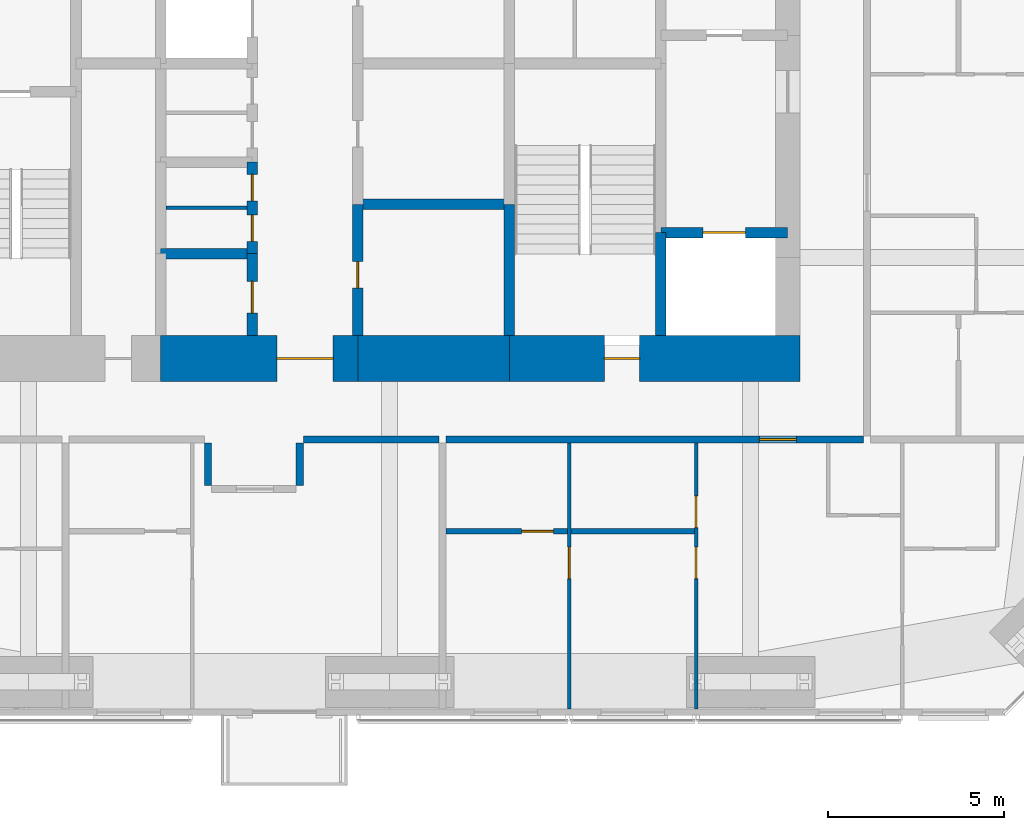
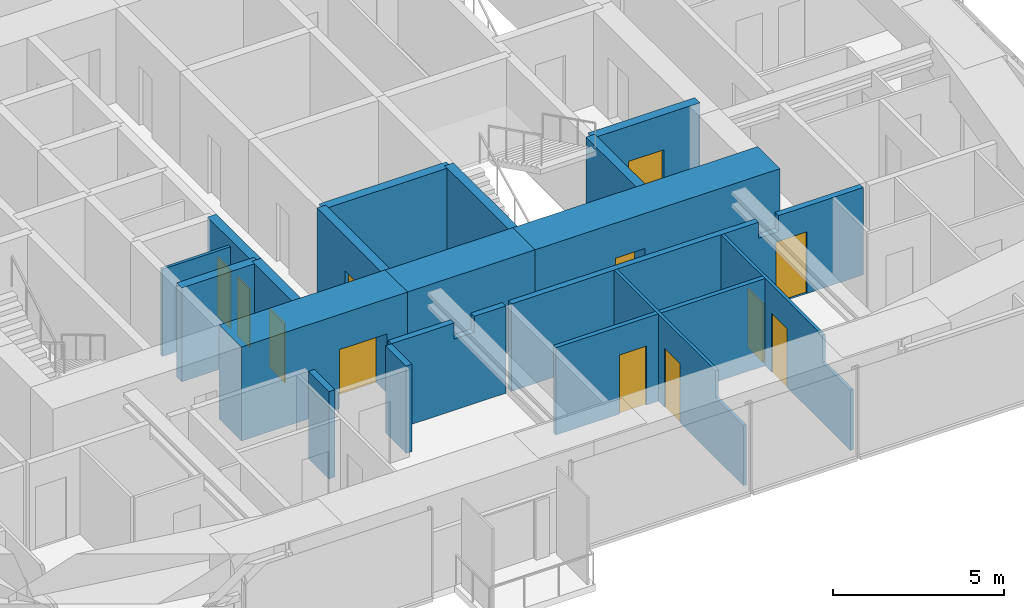
# One storey, part 17 of 23: 20 walls, 12 doors, 12 openings.
"""IFC4 building model written with IfcOpenShell, lengths in metres."""

from ifc_helpers import new_model, si_unit, direction, frame, frame_2d, origin, place, context, subcontext, project, spatial, polyline, rectangle, outline, extrude, material, layer, layer_set, constituent, constituent_set, type_object, element, fill, save


model = new_model("IFC4")

# Units and contexts
model_context = context("Model", 3, precision=1e-05, world=origin(), true_north=direction((0.0, 1.0)))
body_context = subcontext(model_context, "Body", "Model", "MODEL_VIEW")
ifc_project = project(units=[si_unit("LENGTHUNIT", "METRE"), si_unit("AREAUNIT", "SQUARE_METRE"), si_unit("VOLUMEUNIT", "CUBIC_METRE"), si_unit("PLANEANGLEUNIT", "RADIAN"), si_unit("MASSUNIT", "GRAM", prefix="KILO")], contexts=[model_context])

# Site, building, storey
site_placement = place(None, origin())
site = spatial("IfcSite", under=ifc_project, at=site_placement, CompositionType="ELEMENT")
building_placement = place(site_placement, origin())
building = spatial("IfcBuilding", under=site, at=building_placement, Name="Jalousie Tower", CompositionType="ELEMENT")
storey_placement = place(building_placement, frame((0.0, 0.0, 191.199951171875)))
storey = spatial("IfcBuildingStorey", under=building, at=storey_placement, Name="L52", CompositionType="ELEMENT", Elevation=191.199951171875)

# Wall, opening, door
ifc_material_1 = material(Name="Concrete block ASTM C90", Category="concrete")
ifc_constituent_1 = constituent(ifc_material_1, Name="Body")
ifc_material_2 = material(Name="Render")
ifc_constituent_2 = constituent(ifc_material_2, Name="Finish")
ifc_constituent_set_1 = constituent_set(constituents=[ifc_constituent_1, ifc_constituent_2])
wall_type_1 = type_object("IfcWallType", Name="BATHROOM WALL 150", PredefinedType="PLUMBINGWALL", material=ifc_constituent_set_1)
wall_1_placement = place(storey_placement, frame((34.10009765625, 5.22509765625, 0.0), z_axis=(0.0, 0.0, 1.0), x_axis=(1.0, 0.0, 0.0)))
wall_1 = element("IfcWall", 1, at=wall_1_placement, inside=storey, type_object=wall_type_1, Name="Bathroom Wall 150 L52", PredefinedType="PLUMBINGWALL", context=body_context, shape_type="SweptSolid", body=[
    extrude(rectangle(XDim=3.449951171875, YDim=0.14990234375, at=frame_2d((1.72509765625, 0.0))), origin(), (0.0, 0.0, 1.0), 3.110107421875),
])
opening_1_placement = place(wall_1_placement, frame((2.14990234375, 0.0, 0.0)))
opening_1 = element("IfcOpeningElement", 2, at=opening_1_placement, cuts=wall_1, Name="Opening D3", PredefinedType="OPENING", context=body_context, shape_type="SweptSolid", body=[
    extrude(rectangle(XDim=0.89990234375, YDim=2.10009765625, at=frame_2d((0.449951171875, 1.050048828125))), frame((0.0, 0.0849609375, 0.0), z_axis=(0.0, -1.0, 0.0), x_axis=(1.0, 0.0, 0.0)), (0.0, 0.0, 1.0), 0.169921875),
])
ifc_material_3 = material(Name="Timber door", Category="wood")
door_type_1 = type_object("IfcDoorType", Name="BATHROOM DOOR 900", OperationType="SINGLE_SWING_LEFT", PredefinedType="DOOR", material=ifc_material_3)
door_1_placement = place(opening_1_placement, origin())
door_1 = element("IfcDoor", 3, at=door_1_placement, inside=storey, type_object=door_type_1, Name="Apartment 5203 bedroom 1 bathroom door", OperationType="SINGLE_SWING_RIGHT", OverallHeight=2.10009765625, OverallWidth=0.89990234375, PredefinedType="DOOR", context=body_context, shape_type="SweptSolid", body=[
    extrude(rectangle(XDim=0.89990234375, YDim=2.10009765625, at=frame_2d((0.449951171875, 1.050048828125))), frame((0.0, 0.02490234375, 0.0), z_axis=(0.0, -1.0, 0.0), x_axis=(1.0, 0.0, 0.0)), (0.0, 0.0, 1.0), 0.050048828125),
])
fill(opening_1, door_1)

# Wall
wall_2_placement = place(storey_placement, frame((37.64990234375, 5.22509765625, 0.0), z_axis=(0.0, 0.0, 1.0), x_axis=(1.0, 0.0, 0.0)))
element("IfcWall", 4, at=wall_2_placement, inside=storey, type_object=wall_type_1, Name="Bathroom Wall 150 L52", PredefinedType="PLUMBINGWALL", context=body_context, shape_type="SweptSolid", body=[
    extrude(rectangle(XDim=3.5, YDim=0.14990234375, at=frame_2d((1.75, 0.0))), origin(), (0.0, 0.0, 1.0), 3.110107421875),
])

# Wall, opening, door
ifc_material_4 = material(Name="Concrete f'c 120 MPa", Category="concrete")
ifc_layer_1 = layer(ifc_material_4, 1.300048828125)
ifc_layer_set_1 = layer_set([ifc_layer_1], Name="Concrete f'c 120 MPa")
wall_type_2 = type_object("IfcWallType", Name="CORE WALL 1300", PredefinedType="SHEAR", material=ifc_layer_set_1)
wall_3_placement = place(storey_placement, frame((26.0, 10.125, 0.0), z_axis=(0.0, 0.0, 1.0), x_axis=(1.0, 0.0, 0.0)))
wall_3 = element("IfcWall", 5, at=wall_3_placement, inside=storey, type_object=wall_type_2, Name="Core wall SB L52", PredefinedType="SHEAR", context=body_context, shape_type="SweptSolid", body=[
    extrude(rectangle(XDim=5.60009765625, YDim=1.300048828125, at=frame_2d((2.800048828125, 0.0))), origin(), (0.0, 0.0, 1.0), 3.35009765625),
])
opening_2_placement = place(wall_3_placement, frame((3.300048828125, 0.0, 0.0)))
opening_2 = element("IfcOpeningElement", 6, at=opening_2_placement, cuts=wall_3, Name="Opening D15", PredefinedType="OPENING", context=body_context, shape_type="SweptSolid", body=[
    extrude(rectangle(XDim=1.60009765625, YDim=2.10009765625, at=frame_2d((0.800048828125, 1.050048828125))), frame((0.0, 0.659912109375, 0.0), z_axis=(0.0, -1.0, 0.0), x_axis=(1.0, 0.0, 0.0)), (0.0, 0.0, 1.0), 1.320068359375),
])
ifc_material_5 = material(Name="Steel fire door", Category="steel")
door_type_2 = type_object("IfcDoorType", Name="LIFT LOBBY DOOR 1600", OperationType="DOUBLE_DOOR_SINGLE_SWING", PredefinedType="DOOR", material=ifc_material_5)
door_2_placement = place(opening_2_placement, origin())
door_2 = element("IfcDoor", 7, at=door_2_placement, inside=storey, type_object=door_type_2, Name="Lift lobby south door", OperationType="DOUBLE_DOOR_SINGLE_SWING", OverallHeight=2.10009765625, OverallWidth=1.60009765625, PredefinedType="DOOR", context=body_context, shape_type="SweptSolid", body=[
    extrude(rectangle(XDim=1.60009765625, YDim=2.10009765625, at=frame_2d((0.800048828125, 1.050048828125))), frame((0.0, 0.02490234375, 0.0), z_axis=(0.0, -1.0, 0.0), x_axis=(1.0, 0.0, 0.0)), (0.0, 0.0, 1.0), 0.050048828125),
])
fill(opening_2, door_2)

# Wall
wall_4_placement = place(storey_placement, frame((31.60009765625, 10.125, 0.0), z_axis=(0.0, 0.0, 1.0), x_axis=(1.0, 0.0, 0.0)))
element("IfcWall", 8, at=wall_4_placement, inside=storey, type_object=wall_type_2, Name="Core wall SC L52", PredefinedType="SHEAR", context=body_context, shape_type="SweptSolid", body=[
    extrude(rectangle(XDim=4.2998046875, YDim=1.300048828125, at=frame_2d((2.14990234375, 0.0))), origin(), (0.0, 0.0, 1.0), 3.35009765625),
])

# Wall, opening, door
wall_5_placement = place(storey_placement, frame((35.89990234375, 10.125, 0.0), z_axis=(0.0, 0.0, 1.0), x_axis=(1.0, 0.0, 0.0)))
wall_5 = element("IfcWall", 9, at=wall_5_placement, inside=storey, type_object=wall_type_2, Name="Core wall SD L52", PredefinedType="SHEAR", context=body_context, shape_type="SweptSolid", body=[
    extrude(rectangle(XDim=8.25, YDim=1.300048828125, at=frame_2d((4.125, 0.0))), origin(), (0.0, 0.0, 1.0), 3.35009765625),
])
opening_3_placement = place(wall_5_placement, frame((2.699951171875, 0.0, 0.0)))
opening_3 = element("IfcOpeningElement", 10, at=opening_3_placement, cuts=wall_5, Name="Opening D10", PredefinedType="OPENING", context=body_context, shape_type="SweptSolid", body=[
    extrude(rectangle(XDim=1.0, YDim=2.10009765625, at=frame_2d((0.5, 1.050048828125))), frame((0.0, 0.659912109375, 0.0), z_axis=(0.0, -1.0, 0.0), x_axis=(1.0, 0.0, 0.0)), (0.0, 0.0, 1.0), 1.320068359375),
])
ifc_material_6 = material(Name="Steel fire door", Category="steel")
door_type_3 = type_object("IfcDoorType", Name="STAIR DOOR 1000", OperationType="SINGLE_SWING_LEFT", PredefinedType="DOOR", material=ifc_material_6)
door_3_placement = place(opening_3_placement, origin())
door_3 = element("IfcDoor", 11, at=door_3_placement, inside=storey, type_object=door_type_3, Name="Exit stair C door", OperationType="SINGLE_SWING_RIGHT", OverallHeight=2.10009765625, OverallWidth=1.0, PredefinedType="DOOR", context=body_context, shape_type="SweptSolid", body=[
    extrude(rectangle(XDim=1.0, YDim=2.10009765625, at=frame_2d((0.5, 1.050048828125))), frame((0.0, 0.02490234375, 0.0), z_axis=(0.0, -1.0, 0.0), x_axis=(1.0, 0.0, 0.0)), (0.0, 0.0, 1.0), 0.050048828125),
])
fill(opening_3, door_3)

ifc_material_7 = material(Name="Concrete f'c 120 MPa", Category="concrete")
ifc_layer_2 = layer(ifc_material_7, 0.300048828125)
ifc_layer_set_2 = layer_set([ifc_layer_2], Name="Concrete f'c 120 MPa")
wall_type_3 = type_object("IfcWallType", Name="CORE WALL 300", PredefinedType="SHEAR", material=ifc_layer_set_2)
wall_6_placement = place(storey_placement, frame((28.60009765625, 10.77490234375, 0.0), z_axis=(0.0, 0.0, 1.0), x_axis=(0.0, 1.0, 0.0)))
wall_6 = element("IfcWall", 12, at=wall_6_placement, inside=storey, type_object=wall_type_3, Name="Core wall X28.6A L52", PredefinedType="SHEAR", context=body_context, shape_type="SweptSolid", body=[
    extrude(rectangle(XDim=2.3251953125, YDim=0.300048828125, at=frame_2d((1.16259765625, 0.0))), origin(), (0.0, 0.0, 1.0), 3.35009765625),
])
opening_4_placement = place(wall_6_placement, frame((0.637451171875, 0.0, 0.0)))
opening_4 = element("IfcOpeningElement", 13, at=opening_4_placement, cuts=wall_6, Name="Opening D24", PredefinedType="OPENING", context=body_context, shape_type="SweptSolid", body=[
    extrude(rectangle(XDim=0.89990234375, YDim=2.10009765625, at=frame_2d((0.449951171875, 1.050048828125))), frame((0.0, 0.159912109375, 0.0), z_axis=(0.0, -1.0, 0.0), x_axis=(1.0, 0.0, 0.0)), (0.0, 0.0, 1.0), 0.320068359375),
])
ifc_material_8 = material(Name="Steel fire door", Category="steel")
door_type_4 = type_object("IfcDoorType", Name="CORE ROOM DOOR 900", OperationType="SINGLE_SWING_LEFT", PredefinedType="DOOR", material=ifc_material_8)
door_4_placement = place(opening_4_placement, origin())
door_4 = element("IfcDoor", 14, at=door_4_placement, inside=storey, type_object=door_type_4, Name="Pantry door", OperationType="SINGLE_SWING_RIGHT", OverallHeight=2.10009765625, OverallWidth=0.89990234375, PredefinedType="DOOR", context=body_context, shape_type="SweptSolid", body=[
    extrude(rectangle(XDim=0.89990234375, YDim=2.10009765625, at=frame_2d((0.449951171875, 1.050048828125))), frame((0.0, 0.02490234375, 0.0), z_axis=(0.0, -1.0, 0.0), x_axis=(1.0, 0.0, 0.0)), (0.0, 0.0, 1.0), 0.050048828125),
])
fill(opening_4, door_4)

# Wall, openings, doors
wall_7_placement = place(storey_placement, frame((28.60009765625, 13.10009765625, 0.0), z_axis=(0.0, 0.0, 1.0), x_axis=(0.0, 1.0, 0.0)))
wall_7 = element("IfcWall", 15, at=wall_7_placement, inside=storey, type_object=wall_type_3, Name="Core wall X28.6B L52", PredefinedType="SHEAR", context=body_context, shape_type="SweptSolid", body=[
    extrude(rectangle(XDim=2.599853515625, YDim=0.300048828125, at=frame_2d((1.2998046875, 0.0))), origin(), (0.0, 0.0, 1.0), 3.35009765625),
])
opening_5_placement = place(wall_7_placement, frame((0.35009765625, 0.0, 0.0)))
opening_5 = element("IfcOpeningElement", 16, at=opening_5_placement, cuts=wall_7, Name="Opening D27", PredefinedType="OPENING", context=body_context, shape_type="SweptSolid", body=[
    extrude(rectangle(XDim=0.75, YDim=2.10009765625, at=frame_2d((0.375, 1.050048828125))), frame((0.0, 0.159912109375, 0.0), z_axis=(0.0, -1.0, 0.0), x_axis=(1.0, 0.0, 0.0)), (0.0, 0.0, 1.0), 0.320068359375),
])
opening_6_placement = place(wall_7_placement, frame((1.5, 0.0, 0.0)))
opening_6 = element("IfcOpeningElement", 17, at=opening_6_placement, cuts=wall_7, Name="Opening D27", PredefinedType="OPENING", context=body_context, shape_type="SweptSolid", body=[
    extrude(rectangle(XDim=0.75, YDim=2.10009765625, at=frame_2d((0.375, 1.050048828125))), frame((0.0, 0.159912109375, 0.0), z_axis=(0.0, -1.0, 0.0), x_axis=(1.0, 0.0, 0.0)), (0.0, 0.0, 1.0), 0.320068359375),
])
ifc_material_9 = material(Name="Steel fire door", Category="steel")
door_type_5 = type_object("IfcDoorType", Name="CORE ROOM DOOR 750", OperationType="SINGLE_SWING_LEFT", PredefinedType="DOOR", material=ifc_material_9)
door_5_placement = place(opening_5_placement, origin())
door_5 = element("IfcDoor", 18, at=door_5_placement, inside=storey, type_object=door_type_5, Name="IT room door", OperationType="SINGLE_SWING_RIGHT", OverallHeight=2.10009765625, OverallWidth=0.75, PredefinedType="DOOR", context=body_context, shape_type="SweptSolid", body=[
    extrude(rectangle(XDim=0.75, YDim=2.10009765625, at=frame_2d((0.375, 1.050048828125))), frame((0.0, 0.02490234375, 0.0), z_axis=(0.0, -1.0, 0.0), x_axis=(1.0, 0.0, 0.0)), (0.0, 0.0, 1.0), 0.050048828125),
])
fill(opening_5, door_5)
door_6_placement = place(opening_6_placement, origin())
door_6 = element("IfcDoor", 19, at=door_6_placement, inside=storey, type_object=door_type_5, Name="Store door", OperationType="SINGLE_SWING_LEFT", OverallHeight=2.10009765625, OverallWidth=0.75, PredefinedType="DOOR", context=body_context, shape_type="SweptSolid", body=[
    extrude(rectangle(XDim=0.75, YDim=2.10009765625, at=frame_2d((0.375, 1.050048828125))), frame((0.0, 0.02490234375, 0.0), z_axis=(0.0, -1.0, 0.0), x_axis=(1.0, 0.0, 0.0)), (0.0, 0.0, 1.0), 0.050048828125),
])
fill(opening_6, door_6)

# Wall, opening, door
wall_8_placement = place(storey_placement, frame((31.60009765625, 10.77490234375, 0.0), z_axis=(0.0, 0.0, 1.0), x_axis=(0.0, 1.0, 0.0)))
wall_8 = element("IfcWall", 20, at=wall_8_placement, inside=storey, type_object=wall_type_3, Name="Core wall X31.6A L52", PredefinedType="SHEAR", context=body_context, shape_type="SweptSolid", body=[
    extrude(rectangle(XDim=3.72509765625, YDim=0.300048828125, at=frame_2d((1.862548828125, 0.0))), origin(), (0.0, 0.0, 1.0), 3.35009765625),
])
opening_7_placement = place(wall_8_placement, frame((1.35009765625, 0.0, 0.0)))
opening_7 = element("IfcOpeningElement", 21, at=opening_7_placement, cuts=wall_8, Name="Opening D16", PredefinedType="OPENING", context=body_context, shape_type="SweptSolid", body=[
    extrude(rectangle(XDim=0.75, YDim=2.10009765625, at=frame_2d((0.375, 1.050048828125))), frame((0.0, 0.159912109375, 0.0), z_axis=(0.0, -1.0, 0.0), x_axis=(1.0, 0.0, 0.0)), (0.0, 0.0, 1.0), 0.320068359375),
])
ifc_material_10 = material(Name="Steel fire door", Category="steel")
door_type_6 = type_object("IfcDoorType", Name="RISER DOOR 750", OperationType="SINGLE_SWING_LEFT", PredefinedType="DOOR", material=ifc_material_10)
door_7_placement = place(opening_7_placement, frame((0.75, 0.0, 0.0), z_axis=(0.0, 0.0, 1.0), x_axis=(-1.0, 0.0, 0.0)))
door_7 = element("IfcDoor", 22, at=door_7_placement, inside=storey, type_object=door_type_6, Name="Refuse Room door", OperationType="SINGLE_SWING_RIGHT", OverallHeight=2.10009765625, OverallWidth=0.75, PredefinedType="DOOR", context=body_context, shape_type="SweptSolid", body=[
    extrude(rectangle(XDim=0.75, YDim=2.10009765625, at=frame_2d((0.375, 1.050048828125))), frame((0.0, 0.02490234375, 0.0), z_axis=(0.0, -1.0, 0.0), x_axis=(1.0, 0.0, 0.0)), (0.0, 0.0, 1.0), 0.050048828125),
])
fill(opening_7, door_7)

# Walls
wall_9_placement = place(storey_placement, frame((35.89990234375, 10.77490234375, 0.0), z_axis=(0.0, 0.0, 1.0), x_axis=(0.0, 1.0, 0.0)))
element("IfcWall", 23, at=wall_9_placement, inside=storey, type_object=wall_type_3, Name="Core wall X35.9A L52", PredefinedType="SHEAR", context=body_context, shape_type="SweptSolid", body=[
    extrude(rectangle(XDim=3.72509765625, YDim=0.300048828125, at=frame_2d((1.862548828125, 0.0))), origin(), (0.0, 0.0, 1.0), 3.35009765625),
])
wall_10_placement = place(storey_placement, frame((40.199951171875, 10.77490234375, 0.0), z_axis=(0.0, 0.0, 1.0), x_axis=(0.0, 1.0, 0.0)))
element("IfcWall", 24, at=wall_10_placement, inside=storey, type_object=wall_type_3, Name="Core wall X40.2A L52", PredefinedType="SHEAR", context=body_context, shape_type="SweptSolid", body=[
    extrude(rectangle(XDim=2.925048828125, YDim=0.300048828125, at=frame_2d((1.46240234375, 0.0))), origin(), (0.0, 0.0, 1.0), 3.35009765625),
])
wall_11_placement = place(storey_placement, frame((26.0, 13.10009765625, 0.0), z_axis=(0.0, 0.0, 1.0), x_axis=(1.0, 0.0, 0.0)))
element("IfcWall", 25, at=wall_11_placement, inside=storey, type_object=wall_type_3, Name="Core wall Y26-13.1 L52", PredefinedType="SHEAR", context=body_context, shape_type="SweptSolid", body=[
    extrude(rectangle(XDim=2.60009765625, YDim=0.300048828125, at=frame_2d((1.300048828125, 0.0))), origin(), (0.0, 0.0, 1.0), 3.35009765625),
])
wall_12_placement = place(storey_placement, frame((31.60009765625, 14.5, 0.0), z_axis=(0.0, 0.0, 1.0), x_axis=(1.0, 0.0, 0.0)))
element("IfcWall", 26, at=wall_12_placement, inside=storey, type_object=wall_type_3, Name="Core wall Y31.6-14.5 L52", PredefinedType="SHEAR", context=body_context, shape_type="SweptSolid", body=[
    extrude(rectangle(XDim=4.2998046875, YDim=0.300048828125, at=frame_2d((2.14990234375, 0.0))), origin(), (0.0, 0.0, 1.0), 3.35009765625),
])

# Wall, opening, door
wall_13_placement = place(storey_placement, frame((40.199951171875, 13.699951171875, 0.0), z_axis=(0.0, 0.0, 1.0), x_axis=(1.0, 0.0, 0.0)))
wall_13 = element("IfcWall", 27, at=wall_13_placement, inside=storey, type_object=wall_type_3, Name="Core wall Y40.2-13.7 L52", PredefinedType="SHEAR", context=body_context, shape_type="SweptSolid", body=[
    extrude(rectangle(XDim=3.60009765625, YDim=0.300048828125, at=frame_2d((1.800048828125, 0.0))), origin(), (0.0, 0.0, 1.0), 3.35009765625),
])
opening_8_placement = place(wall_13_placement, frame((1.199951171875, 0.0, 0.0)))
opening_8 = element("IfcOpeningElement", 28, at=opening_8_placement, cuts=wall_13, Name="Opening LD2", PredefinedType="OPENING", context=body_context, shape_type="SweptSolid", body=[
    extrude(rectangle(XDim=1.199951171875, YDim=2.10009765625, at=frame_2d((0.60009765625, 1.050048828125))), frame((0.0, 0.159912109375, 0.0), z_axis=(0.0, -1.0, 0.0), x_axis=(1.0, 0.0, 0.0)), (0.0, 0.0, 1.0), 0.320068359375),
])
ifc_material_11 = material(Name="Steel lift landing door", Category="steel")
door_type_7 = type_object("IfcDoorType", Name="LIFT LANDING DOOR 1200", OperationType="SLIDING_TO_LEFT", PredefinedType="DOOR", material=ifc_material_11)
door_8_placement = place(opening_8_placement, origin())
door_8 = element("IfcDoor", 29, at=door_8_placement, inside=storey, type_object=door_type_7, Name="Lift F2 landing door", OperationType="SLIDING_TO_LEFT", OverallHeight=2.10009765625, OverallWidth=1.199951171875, PredefinedType="DOOR", context=body_context, shape_type="SweptSolid", body=[
    extrude(rectangle(XDim=1.199951171875, YDim=2.10009765625, at=frame_2d((0.60009765625, 1.050048828125))), frame((0.0, 0.02490234375, 0.0), z_axis=(0.0, -1.0, 0.0), x_axis=(1.0, 0.0, 0.0)), (0.0, 0.0, 1.0), 0.050048828125),
])
fill(opening_8, door_8)

ifc_material_12 = material(Name="Concrete block ASTM C90", Category="concrete")
ifc_constituent_3 = constituent(ifc_material_12, Name="Body")
ifc_material_13 = material(Name="Render")
ifc_constituent_4 = constituent(ifc_material_13, Name="Finish")
ifc_constituent_set_2 = constituent_set(constituents=[ifc_constituent_3, ifc_constituent_4])
wall_type_4 = type_object("IfcWallType", Name="CORRIDOR WALL 200", PredefinedType="PARTITIONING", material=ifc_constituent_set_2)
wall_14_placement = place(storey_placement, frame((34.10009765625, 7.824951171875, 0.0), z_axis=(0.0, 0.0, 1.0), x_axis=(1.0, 0.0, 0.0)))
wall_14 = element("IfcWall", 30, at=wall_14_placement, inside=storey, type_object=wall_type_4, Name="Corridor Wall 200 L52", PredefinedType="PARTITIONING", context=body_context, shape_type="SweptSolid", body=[
    extrude(outline(polyline([(0.0, 0.0), (11.849853515625, 0.0), (11.85009765625, 3.110107421875), (8.9873046875, 3.110107421875), (8.9873046875, 2.541015625), (8.3125, 2.541015625), (8.3125, 3.110107421875), (0.0, 3.110107421875), (0.0, 0.0)])), frame((0.0, 0.10009765625, 0.0), z_axis=(0.0, -1.0, 0.0), x_axis=(1.0, 0.0, 0.0)), (0.0, 0.0, 1.0), 0.199951171875),
])
opening_9_placement = place(wall_14_placement, frame((8.89990234375, 0.0, 0.0)))
opening_9 = element("IfcOpeningElement", 31, at=opening_9_placement, cuts=wall_14, Name="Opening D1", PredefinedType="OPENING", context=body_context, shape_type="SweptSolid", body=[
    extrude(rectangle(XDim=1.050048828125, YDim=2.199951171875, at=frame_2d((0.52490234375, 1.10009765625))), frame((0.0, 0.10986328125, 0.0), z_axis=(0.0, -1.0, 0.0), x_axis=(1.0, 0.0, 0.0)), (0.0, 0.0, 1.0), 0.219970703125),
])
ifc_material_14 = material(Name="Timber fire door", Category="wood")
door_type_8 = type_object("IfcDoorType", Name="APARTMENT ENTRANCE DOOR 1050", OperationType="SINGLE_SWING_LEFT", PredefinedType="DOOR", material=ifc_material_14)
door_9_placement = place(opening_9_placement, frame((1.050048828125, 0.0, 0.0), z_axis=(0.0, 0.0, 1.0), x_axis=(-1.0, 0.0, 0.0)))
door_9 = element("IfcDoor", 32, at=door_9_placement, inside=storey, type_object=door_type_8, Name="Apartment 5203 entrance", OperationType="SINGLE_SWING_LEFT", OverallHeight=2.199951171875, OverallWidth=1.050048828125, PredefinedType="DOOR", context=body_context, shape_type="SweptSolid", body=[
    extrude(rectangle(XDim=1.050048828125, YDim=2.199951171875, at=frame_2d((0.52490234375, 1.10009765625))), frame((0.0, 0.02490234375, 0.0), z_axis=(0.0, -1.0, 0.0), x_axis=(1.0, 0.0, 0.0)), (0.0, 0.0, 1.0), 0.050048828125),
])
fill(opening_9, door_9)

# Walls
wall_15_placement = place(storey_placement, frame((30.050048828125, 7.824951171875, 0.0), z_axis=(0.0, 0.0, 1.0), x_axis=(1.0, 0.0, 0.0)))
element("IfcWall", 33, at=wall_15_placement, inside=storey, type_object=wall_type_4, Name="Corridor Wall 200 L52", PredefinedType="PARTITIONING", context=body_context, shape_type="SweptSolid", body=[
    extrude(outline(polyline([(0.0, 0.0), (3.849853515625, 0.0), (3.85009765625, 3.110107421875), (2.787353515625, 3.110107421875), (2.787353515625, 2.541015625), (2.112548828125, 2.541015625), (2.112548828125, 3.110107421875), (0.0, 3.110107421875), (0.0, 0.0)])), frame((0.0, 0.10009765625, 0.0), z_axis=(0.0, -1.0, 0.0), x_axis=(1.0, 0.0, 0.0)), (0.0, 0.0, 1.0), 0.199951171875),
])
for number, where, z_axis, x_axis, name in (
    (34, (27.35009765625, 7.72509765625, 0.0), (0.0, 0.0, 1.0), (0.0, -1.0, 0.0), "Corridor Wall 200 L52"),
    (35, (29.949951171875, 7.72509765625, 0.0), (0.0, 0.0, 1.0), (0.0, -1.0, 0.0), "Corridor Wall 200 L52"),
):
    element("IfcWall", number, at=place(storey_placement, frame(where, z_axis=z_axis, x_axis=x_axis)), inside=storey, type_object=wall_type_4, Name=name, PredefinedType="PARTITIONING", context=body_context, shape_type="SweptSolid", body=[
        extrude(rectangle(XDim=1.2001953125, YDim=0.199951171875, at=frame_2d((0.60009765625, 0.0))), origin(), (0.0, 0.0, 1.0), 3.110107421875),
    ])

# Wall, opening, door
ifc_material_15 = material(Name="Gypsum board", Category="gypsum")
ifc_constituent_5 = constituent(ifc_material_15, Name="Body")
ifc_material_16 = material(Name="Light-gauge steel studs ASTM A653 SS Grade 33", Category="steel")
ifc_constituent_6 = constituent(ifc_material_16, Name="Framing")
ifc_constituent_set_3 = constituent_set(constituents=[ifc_constituent_5, ifc_constituent_6])
wall_type_5 = type_object("IfcWallType", Name="PARTITION 100", PredefinedType="PARTITIONING", material=ifc_constituent_set_3)
wall_16_placement = place(storey_placement, frame((37.60009765625, 0.175048828125, 0.0), z_axis=(0.0, 0.0, 1.0), x_axis=(0.0, 1.0, 0.0)))
wall_16 = element("IfcWall", 36, at=wall_16_placement, inside=storey, type_object=wall_type_5, Name="Partition 100 L52", PredefinedType="PARTITIONING", context=body_context, shape_type="SweptSolid", body=[
    extrude(outline(polyline([(0.0, 0.0), (7.550048828125, 0.0), (7.550048828125, 3.110107421875), (1.635009765625, 3.110107421875), (1.635009765625, 2.150146484375), (0.0, 2.150146484375), (0.0, 3.110107421875), (0.0, 0.0)])), frame((0.0, 0.050048828125, 0.0), z_axis=(0.0, -1.0, 0.0), x_axis=(1.0, 0.0, 0.0)), (0.0, 0.0, 1.0), 0.10009765625),
])
opening_10_placement = place(wall_16_placement, frame((3.699951171875, 0.0, 0.0)))
opening_10 = element("IfcOpeningElement", 37, at=opening_10_placement, cuts=wall_16, Name="Opening D2", PredefinedType="OPENING", context=body_context, shape_type="SweptSolid", body=[
    extrude(rectangle(XDim=0.89990234375, YDim=2.10009765625, at=frame_2d((0.449951171875, 1.050048828125))), frame((0.0, 0.06005859375, 0.0), z_axis=(0.0, -1.0, 0.0), x_axis=(1.0, 0.0, 0.0)), (0.0, 0.0, 1.0), 0.1201171875),
])
ifc_material_17 = material(Name="Timber door", Category="wood")
door_type_9 = type_object("IfcDoorType", Name="BEDROOM DOOR 900", OperationType="SINGLE_SWING_LEFT", PredefinedType="DOOR", material=ifc_material_17)
door_10_placement = place(opening_10_placement, origin())
door_10 = element("IfcDoor", 38, at=door_10_placement, inside=storey, type_object=door_type_9, Name="Apartment 5203 bedroom 1 door", OperationType="SINGLE_SWING_RIGHT", OverallHeight=2.10009765625, OverallWidth=0.89990234375, PredefinedType="DOOR", context=body_context, shape_type="SweptSolid", body=[
    extrude(rectangle(XDim=0.89990234375, YDim=2.10009765625, at=frame_2d((0.449951171875, 1.050048828125))), frame((0.0, 0.02490234375, 0.0), z_axis=(0.0, -1.0, 0.0), x_axis=(1.0, 0.0, 0.0)), (0.0, 0.0, 1.0), 0.050048828125),
])
fill(opening_10, door_10)

# Wall, openings, doors
wall_17_placement = place(storey_placement, frame((41.199951171875, 0.175048828125, 0.0), z_axis=(0.0, 0.0, 1.0), x_axis=(0.0, 1.0, 0.0)))
wall_17 = element("IfcWall", 39, at=wall_17_placement, inside=storey, type_object=wall_type_5, Name="Partition 100 L52", PredefinedType="PARTITIONING", context=body_context, shape_type="SweptSolid", body=[
    extrude(outline(polyline([(0.0, 0.0), (7.550048828125, 0.0), (7.550048828125, 3.110107421875), (1.635009765625, 3.110107421875), (1.635009765625, 2.150146484375), (0.0, 2.150146484375), (0.0, 3.110107421875), (0.0, 0.0)])), frame((0.0, 0.050048828125, 0.0), z_axis=(0.0, -1.0, 0.0), x_axis=(1.0, 0.0, 0.0)), (0.0, 0.0, 1.0), 0.10009765625),
])
opening_11_placement = place(wall_17_placement, frame((3.699951171875, 0.0, 0.0)))
opening_11 = element("IfcOpeningElement", 40, at=opening_11_placement, cuts=wall_17, Name="Opening D2", PredefinedType="OPENING", context=body_context, shape_type="SweptSolid", body=[
    extrude(rectangle(XDim=0.89990234375, YDim=2.10009765625, at=frame_2d((0.449951171875, 1.050048828125))), frame((0.0, 0.06005859375, 0.0), z_axis=(0.0, -1.0, 0.0), x_axis=(1.0, 0.0, 0.0)), (0.0, 0.0, 1.0), 0.1201171875),
])
opening_12_placement = place(wall_17_placement, frame((5.14990234375, 0.0, 0.0)))
opening_12 = element("IfcOpeningElement", 41, at=opening_12_placement, cuts=wall_17, Name="Opening D7", PredefinedType="OPENING", context=body_context, shape_type="SweptSolid", body=[
    extrude(rectangle(XDim=0.89990234375, YDim=2.10009765625, at=frame_2d((0.449951171875, 1.050048828125))), frame((0.0, 0.06005859375, 0.0), z_axis=(0.0, -1.0, 0.0), x_axis=(1.0, 0.0, 0.0)), (0.0, 0.0, 1.0), 0.1201171875),
])
door_11_placement = place(opening_11_placement, frame((0.89990234375, 0.0, 0.0), z_axis=(0.0, 0.0, 1.0), x_axis=(-1.0, 0.0, 0.0)))
door_11 = element("IfcDoor", 42, at=door_11_placement, inside=storey, type_object=door_type_9, Name="Apartment 5203 bedroom 2 door", OperationType="SINGLE_SWING_LEFT", OverallHeight=2.10009765625, OverallWidth=0.89990234375, PredefinedType="DOOR", context=body_context, shape_type="SweptSolid", body=[
    extrude(rectangle(XDim=0.89990234375, YDim=2.10009765625, at=frame_2d((0.449951171875, 1.050048828125))), frame((0.0, 0.02490234375, 0.0), z_axis=(0.0, -1.0, 0.0), x_axis=(1.0, 0.0, 0.0)), (0.0, 0.0, 1.0), 0.050048828125),
])
fill(opening_11, door_11)
ifc_material_18 = material(Name="Timber door", Category="wood")
door_type_10 = type_object("IfcDoorType", Name="INTERNAL DOOR 900", OperationType="SINGLE_SWING_LEFT", PredefinedType="DOOR", material=ifc_material_18)
door_12_placement = place(opening_12_placement, origin())
door_12 = element("IfcDoor", 43, at=door_12_placement, inside=storey, type_object=door_type_10, Name="Apartment 5203 bathroom door", OperationType="SINGLE_SWING_LEFT", OverallHeight=2.10009765625, OverallWidth=0.89990234375, PredefinedType="DOOR", context=body_context, shape_type="SweptSolid", body=[
    extrude(rectangle(XDim=0.89990234375, YDim=2.10009765625, at=frame_2d((0.449951171875, 1.050048828125))), frame((0.0, 0.02490234375, 0.0), z_axis=(0.0, -1.0, 0.0), x_axis=(1.0, 0.0, 0.0)), (0.0, 0.0, 1.0), 0.050048828125),
])
fill(opening_12, door_12)

# Wall
wall_18_placement = place(storey_placement, frame((26.14990234375, 14.39990234375, 0.0), z_axis=(0.0, 0.0, 1.0), x_axis=(1.0, 0.0, 0.0)))
element("IfcWall", 44, at=wall_18_placement, inside=storey, type_object=wall_type_5, Name="Partition 100 L52", PredefinedType="PARTITIONING", context=body_context, shape_type="SweptSolid", body=[
    extrude(rectangle(XDim=2.300048828125, YDim=0.10009765625, at=frame_2d((1.14990234375, 0.0))), origin(), (0.0, 0.0, 1.0), 3.110107421875),
])

save(model, "model.ifc")
